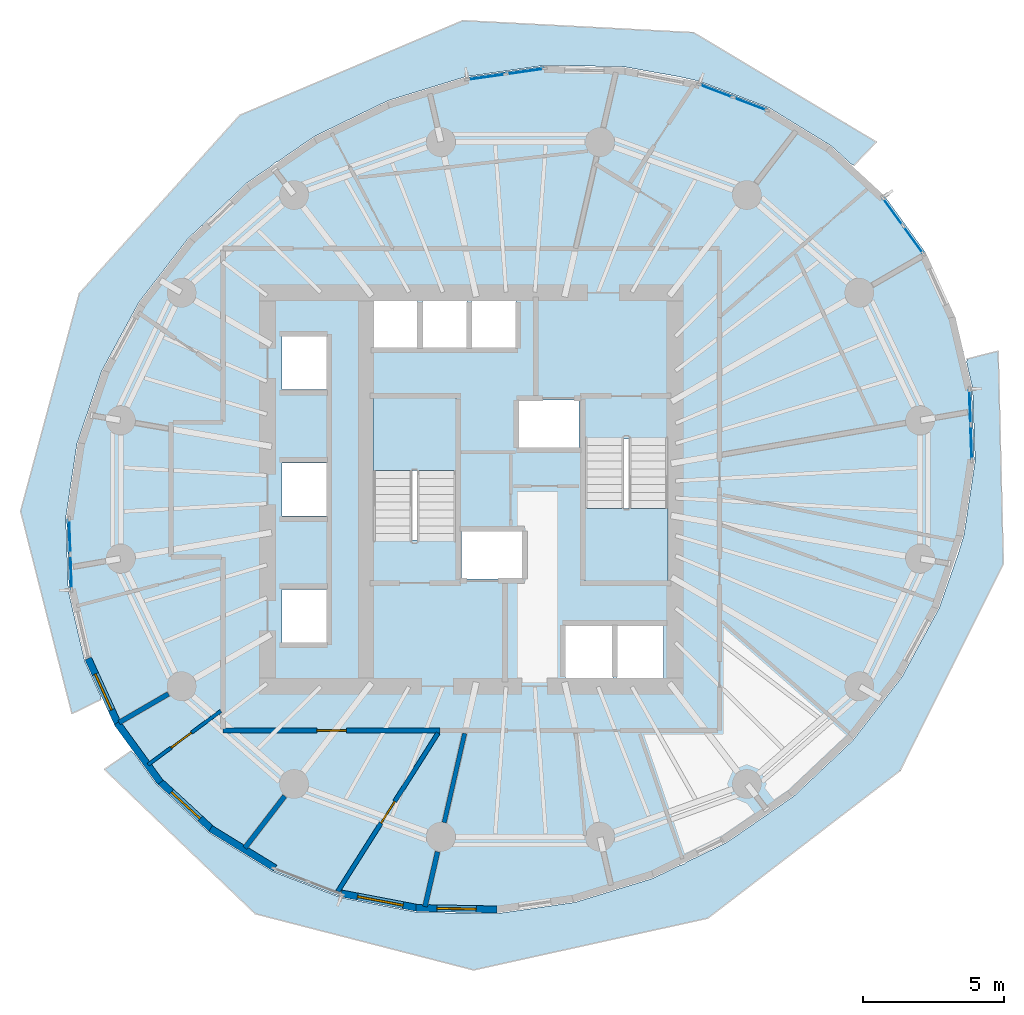
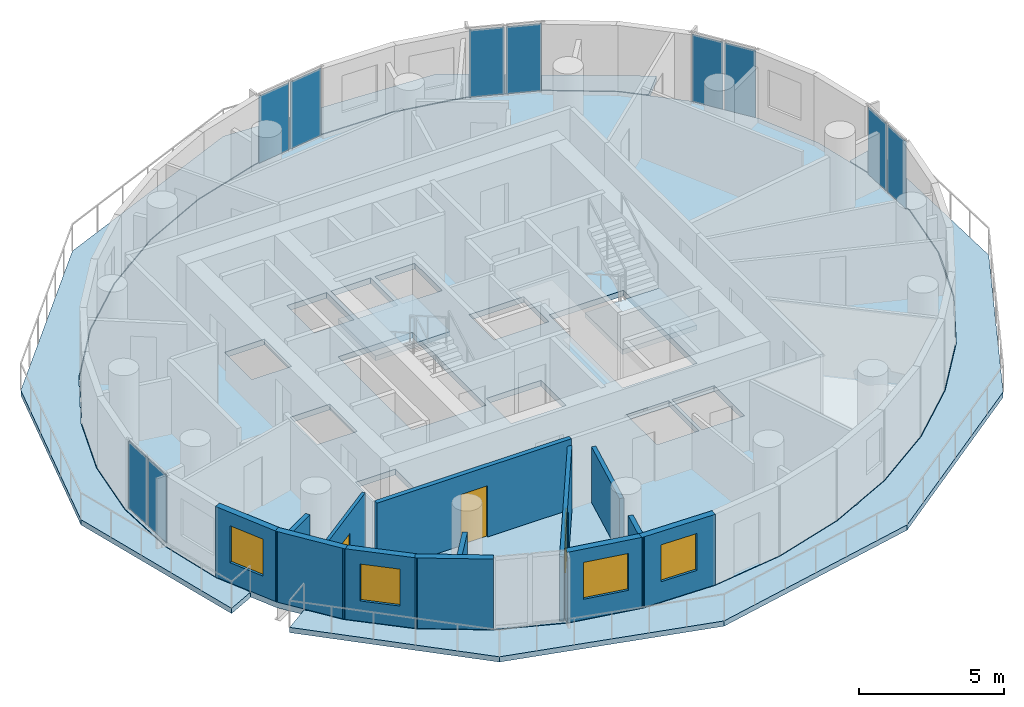
# One storey, part 5 of 14: 13 walls, 10 plates, 5 slabs, 4 windows, 3 doors, 7 openings, 7 elements without a shape of their own.
"""IFC4 building model written with IfcOpenShell, lengths in metres."""

from ifc_helpers import new_model, si_unit, direction, frame, frame_2d, origin, origin_2d, place, context, subcontext, project, spatial, polyline, rectangle, outline, extrude, material, layer, layer_set, type_object, element, fill, aggregate, save


model = new_model("IFC4")

# Units and contexts
model_context = context("Model", 3, precision=1e-05, world=origin(), true_north=direction((0.0, 1.0)))
body_context = subcontext(model_context, "Body", "Model", "MODEL_VIEW")
ifc_project = project(units=[si_unit("LENGTHUNIT", "METRE"), si_unit("AREAUNIT", "SQUARE_METRE"), si_unit("VOLUMEUNIT", "CUBIC_METRE"), si_unit("PLANEANGLEUNIT", "RADIAN"), si_unit("MASSUNIT", "GRAM", prefix="KILO")], contexts=[model_context])

# Site, building, storey
site_placement = place(None, origin())
site = spatial("IfcSite", under=ifc_project, at=site_placement, CompositionType="ELEMENT")
building_placement = place(site_placement, origin())
building = spatial("IfcBuilding", under=site, at=building_placement, Name="Veldorim Arch Residences", CompositionType="ELEMENT")
storey_placement = place(building_placement, frame((0.0, 0.0, 129.760009765625)))
storey = spatial("IfcBuildingStorey", under=building, at=storey_placement, Name="L38", CompositionType="ELEMENT", Elevation=129.760009765625)

# Slabs
ifc_material_1 = material(Name="Concrete C40/50", Category="concrete")
ifc_layer_1 = layer(ifc_material_1, 0.219970703125, Name="Planted Crescent Cantilever Balcony Slab 220")
ifc_layer_set_1 = layer_set([ifc_layer_1], Name="Concrete C40/50")
slab_type_1 = type_object("IfcSlabType", Name="Planted Crescent Cantilever Balcony Slab 220", PredefinedType="FLOOR", material=ifc_layer_set_1)
slab_1_placement = place(storey_placement, frame((0.0, 0.0, -0.219970703125)))
element("IfcSlab", 1, at=slab_1_placement, inside=storey, type_object=slab_type_1, Name="L38 planted crescent balcony slab A", PredefinedType="FLOOR", context=body_context, shape_type="SweptSolid", body=[
    extrude(outline(polyline([(43.74560546875, 35.593017578125), (43.071533203125, 36.213623046875), (40.849365234375, 37.578369140625), (38.358642578125, 38.5302734375), (37.673095703125, 38.68115234375), (35.674560546875, 39.04052734375), (32.87939453125, 39.09375), (30.057373046875, 38.688720703125), (27.294677734375, 37.83740234375), (24.6748046875, 36.56591796875), (23.388916015625, 35.67919921875), (23.24951171875, 35.617919921875), (23.159423828125, 35.52099609375), (22.27734375, 34.91259765625), (20.17529296875, 32.927978515625), (18.432373046875, 30.672119140625), (17.101318359375, 28.213134765625), (16.222900390625, 25.626220703125), (15.823974609375, 22.98974609375), (15.91650390625, 20.3837890625), (16.498046875, 17.887451171875), (17.048583984375, 16.678955078125), (17.075439453125, 16.53125), (16.0419921875, 16.026611328125), (14.21630859375, 23.227783203125), (16.30322265625, 30.971435546875), (22.011962890625, 37.314208984375), (29.949951171875, 40.68115234375), (38.159423828125, 40.25537109375), (44.6591796875, 36.36328125), (43.863037109375, 35.533447265625), (43.74560546875, 35.593017578125)])), origin(), (0.0, 0.0, 1.0), 0.219970703125),
])
slab_2_placement = place(storey_placement, frame((0.0, 0.0, -0.219970703125)))
element("IfcSlab", 2, at=slab_2_placement, inside=storey, type_object=slab_type_1, Name="L38 planted crescent balcony slab B", PredefinedType="FLOOR", context=body_context, shape_type="SweptSolid", body=[
    extrude(outline(polyline([(18.262451171875, 14.5966796875), (19.042724609375, 13.522216796875), (20.928466796875, 11.786376953125), (23.150634765625, 10.421630859375), (25.641357421875, 9.4697265625), (28.325439453125, 8.95947265625), (31.12060546875, 8.90625), (33.942626953125, 9.311279296875), (36.705322265625, 10.16259765625), (37.66943359375, 10.630615234375), (37.798095703125, 10.6611328125), (37.919921875, 10.752197265625), (39.3251953125, 11.43408203125), (41.72265625, 13.08740234375), (43.82470703125, 15.072021484375), (45.567626953125, 17.327880859375), (46.898681640625, 19.786865234375), (47.570556640625, 21.702880859375), (47.777099609375, 22.373779296875), (48.176025390625, 25.01025390625), (48.08349609375, 27.6162109375), (47.87548828125, 28.50830078125), (47.881591796875, 28.64013671875), (48.995849609375, 28.924072265625), (49.18017578125, 21.3505859375), (45.505615234375, 13.996826171875), (38.664306640625, 8.748291015625), (30.332275390625, 6.906005859375), (22.5654296875, 8.905517578125), (17.19873046875, 14.04248046875), (18.147216796875, 14.69287109375), (18.262451171875, 14.5966796875)])), origin(), (0.0, 0.0, 1.0), 0.219970703125),
])

# Stair, slab
ifc_material_2 = material(Name="Concrete C40/50", Category="concrete")
stair_type = type_object("IfcStairType", Name="Reinforced Concrete Dogleg Exit Staircase", PredefinedType="HALF_TURN_STAIR", material=ifc_material_2)
stair_1_placement = place(storey_placement, origin())
stair_1 = element("IfcStair", 3, at=stair_1_placement, inside=storey, type_object=stair_type, Name="L38 Exit Staircase ST-1", PredefinedType="HALF_TURN_STAIR")
ifc_material_3 = material(Name="Concrete C40/50", Category="concrete")
ifc_layer_2 = layer(ifc_material_3, 0.199951171875, Name="Reinforced Concrete Stair Landing 200")
ifc_layer_set_2 = layer_set([ifc_layer_2], Name="Concrete C40/50")
slab_type_2 = type_object("IfcSlabType", Name="Reinforced Concrete Stair Landing 200", PredefinedType="LANDING", material=ifc_layer_set_2)
slab_3_placement = place(storey_placement, frame((0.0, 0.0, 1.39990234375)))
slab_3 = element("IfcSlab", 4, at=slab_3_placement, type_object=slab_type_2, Name="ST-1 landing 1", PredefinedType="LANDING", context=body_context, shape_type="SweptSolid", body=[
    extrude(outline(polyline([(29.7099609375, 24.669921875), (29.7099609375, 27.25), (26.75, 27.25), (26.75, 24.669921875), (29.7099609375, 24.669921875)])), origin(), (0.0, 0.0, 1.0), 0.2001953125),
])
aggregate(stair_1, [slab_3])

stair_2_placement = place(storey_placement, origin())
stair_2 = element("IfcStair", 5, at=stair_2_placement, inside=storey, type_object=stair_type, Name="L38 Exit Staircase ST-2", PredefinedType="HALF_TURN_STAIR")
slab_4_placement = place(storey_placement, frame((0.0, 0.0, 1.39990234375)))
slab_4 = element("IfcSlab", 6, at=slab_4_placement, type_object=slab_type_2, Name="ST-2 landing 1", PredefinedType="LANDING", context=body_context, shape_type="SweptSolid", body=[
    extrude(outline(polyline([(34.2900390625, 23.330078125), (34.2900390625, 20.75), (37.25, 20.75), (37.25, 23.330078125), (34.2900390625, 23.330078125)])), origin(), (0.0, 0.0, 1.0), 0.2001953125),
])
aggregate(stair_2, [slab_4])

# Slab
ifc_material_4 = material(Name="Concrete C40/50", Category="concrete")
ifc_layer_3 = layer(ifc_material_4, 0.239990234375, Name="Typical Residential Floor Slab 240")
ifc_layer_set_3 = layer_set([ifc_layer_3], Name="Concrete C40/50")
slab_type_3 = type_object("IfcSlabType", Name="Typical Residential Floor Slab 240", PredefinedType="FLOOR", material=ifc_layer_set_3)
slab_5_placement = place(storey_placement, frame((0.0, 0.0, -0.239990234375)))
element("IfcSlab", 7, at=slab_5_placement, inside=storey, type_object=slab_type_3, Name="L38 tower structural floor slab", PredefinedType="FLOOR", context=body_context, shape_type="SweptSolid", body=[
    extrude(outline(polyline([(46.427490234375, 32.410400390625), (44.9384765625, 34.4609375), (43.056396484375, 36.193603515625), (40.83837890625, 37.555908203125), (38.351806640625, 38.506103515625), (35.672119140625, 39.015625), (32.880859375, 39.06884765625), (30.06298828125, 38.664306640625), (27.3037109375, 37.814208984375), (24.6875, 36.544189453125), (22.293212890625, 34.89306640625), (20.19384765625, 32.9111328125), (18.453369140625, 30.658203125), (17.12451171875, 28.203125), (16.247314453125, 25.620361328125), (15.84912109375, 22.98828125), (15.94140625, 20.38720703125), (16.521728515625, 17.8955078125), (17.572509765625, 15.589599609375), (19.0615234375, 13.5390625), (20.943603515625, 11.806396484375), (23.16162109375, 10.444091796875), (25.648193359375, 9.493896484375), (28.327880859375, 8.984375), (31.119140625, 8.93115234375), (33.93701171875, 9.335693359375), (36.6962890625, 10.185791015625), (39.3125, 11.455810546875), (41.706787109375, 13.10693359375), (43.80615234375, 15.0888671875), (45.546630859375, 17.341796875), (46.87548828125, 19.796875), (47.752685546875, 22.379638671875), (48.15087890625, 25.01171875), (48.05859375, 27.61279296875), (47.478271484375, 30.1044921875), (46.427490234375, 32.410400390625)]), holes=[polyline([(23.510009765625, 18.56005859375), (23.510009765625, 20.43994140625), (25.090087890625, 20.43994140625), (25.090087890625, 18.56005859375), (23.510009765625, 18.56005859375)]), polyline([(23.510009765625, 24.93994140625), (25.090087890625, 24.93994140625), (25.090087890625, 23.06005859375), (23.510009765625, 23.06005859375), (23.510009765625, 24.93994140625)]), polyline([(26.75, 27.25), (29.7099609375, 27.25), (29.7099609375, 22.195068359375), (26.75, 22.195068359375), (26.75, 27.25)]), polyline([(23.510009765625, 27.56005859375), (23.510009765625, 29.43994140625), (25.090087890625, 29.43994140625), (25.090087890625, 27.56005859375), (23.510009765625, 27.56005859375)]), polyline([(26.760009765625, 30.7900390625), (28.340087890625, 30.7900390625), (28.340087890625, 28.909912109375), (26.760009765625, 28.909912109375), (26.760009765625, 30.7900390625)]), polyline([(28.510009765625, 30.7900390625), (30.090087890625, 30.7900390625), (30.090087890625, 28.909912109375), (28.510009765625, 28.909912109375), (28.510009765625, 30.7900390625)]), polyline([(33.610107421875, 17.2099609375), (33.610107421875, 19.2900390625), (35.2900390625, 19.2900390625), (35.2900390625, 17.2099609375), (33.610107421875, 17.2099609375)]), polyline([(35.409912109375, 19.2900390625), (37.090087890625, 19.2900390625), (37.090087890625, 17.2099609375), (35.409912109375, 17.2099609375), (35.409912109375, 19.2900390625)]), polyline([(29.909912109375, 22.544921875), (32.090087890625, 22.544921875), (32.090087890625, 20.81494140625), (29.909912109375, 20.81494140625), (29.909912109375, 22.544921875)]), polyline([(34.2900390625, 20.75), (34.2900390625, 25.804931640625), (37.25, 25.804931640625), (37.25, 20.75), (34.2900390625, 20.75)]), polyline([(31.909912109375, 27.18505859375), (34.090087890625, 27.18505859375), (34.090087890625, 25.455078125), (31.909912109375, 25.455078125), (31.909912109375, 27.18505859375)]), polyline([(30.260009765625, 30.7900390625), (31.840087890625, 30.7900390625), (31.840087890625, 28.909912109375), (30.260009765625, 28.909912109375), (30.260009765625, 30.7900390625)])]), origin(), (0.0, 0.0, 1.0), 0.239990234375),
])

# Curtain wall, plates
ifc_material_5 = material(Name="Aluminium", Category="aluminium")
curtain_wall_type = type_object("IfcCurtainWallType", Name="Zone 3 High-Wind Unitised Curtain Wall", PredefinedType="NOTDEFINED", material=ifc_material_5)
curtain_wall_1_placement = place(storey_placement, origin())
curtain_wall_1 = element("IfcCurtainWall", 8, at=curtain_wall_1_placement, inside=storey, type_object=curtain_wall_type, Name="L38 unitised curtain wall bay 01", PredefinedType="NOTDEFINED")
ifc_material_6 = material(Name="Laminated Low-E Glass", Category="glass")
ifc_layer_4 = layer(ifc_material_6, 0.028076171875, Name="Zone 3 High-Wind Unitised Curtain Wall Glazing Panel 28")
ifc_layer_set_4 = layer_set([ifc_layer_4], Name="Laminated Low-E Glass")
plate_type = type_object("IfcPlateType", Name="Zone 3 High-Wind Unitised Curtain Wall Glazing Panel 28", PredefinedType="CURTAIN_PANEL", material=ifc_layer_set_4)
plate_1_placement = place(storey_placement, frame((45.248291015625, 33.88134765625, 0.06982421875), z_axis=(0.0, 0.0, 1.0), x_axis=(0.587584949886, -0.809162484713, 0.0)))
plate_1 = element("IfcPlate", 9, at=plate_1_placement, type_object=plate_type, Name="CW-Z3 panel 1.1", PredefinedType="CURTAIN_PANEL", context=body_context, shape_type="SweptSolid", body=[
    extrude(rectangle(XDim=1.162109375, YDim=0.028076171875, at=origin_2d()), origin(), (0.0, 0.0, 1.0), 2.820068359375),
])
plate_2_placement = place(storey_placement, frame((45.97216796875, 32.88427734375, 0.06982421875), z_axis=(0.0, 0.0, 1.0), x_axis=(0.587584949886, -0.809162484713, 0.0)))
plate_2 = element("IfcPlate", 10, at=plate_2_placement, type_object=plate_type, Name="CW-Z3 panel 2.1", PredefinedType="CURTAIN_PANEL", context=body_context, shape_type="SweptSolid", body=[
    extrude(rectangle(XDim=1.162109375, YDim=0.028076171875, at=origin_2d()), origin(), (0.0, 0.0, 1.0), 2.820068359375),
])
aggregate(curtain_wall_1, [plate_1, plate_2])

curtain_wall_2_placement = place(storey_placement, origin())
curtain_wall_2 = element("IfcCurtainWall", 11, at=curtain_wall_2_placement, inside=storey, type_object=curtain_wall_type, Name="L38 unitised curtain wall bay 04", PredefinedType="NOTDEFINED")
plate_3_placement = place(storey_placement, frame((38.95751953125, 38.17822265625, 0.06982421875), z_axis=(0.0, 0.0, 1.0), x_axis=(0.934109319568, -0.356987085335, 0.0)))
plate_3 = element("IfcPlate", 12, at=plate_3_placement, type_object=plate_type, Name="CW-Z3 panel 1.1", PredefinedType="CURTAIN_PANEL", context=body_context, shape_type="SweptSolid", body=[
    extrude(rectangle(XDim=1.22607421875, YDim=0.028076171875, at=origin_2d()), origin(), (0.0, 0.0, 1.0), 2.820068359375),
])
plate_4_placement = place(storey_placement, frame((40.168212890625, 37.715576171875, 0.06982421875), z_axis=(0.0, 0.0, 1.0), x_axis=(0.934109319568, -0.356987085335, 0.0)))
plate_4 = element("IfcPlate", 13, at=plate_4_placement, type_object=plate_type, Name="CW-Z3 panel 2.1", PredefinedType="CURTAIN_PANEL", context=body_context, shape_type="SweptSolid", body=[
    extrude(rectangle(XDim=1.22607421875, YDim=0.028076171875, at=origin_2d()), origin(), (0.0, 0.0, 1.0), 2.820068359375),
])
aggregate(curtain_wall_2, [plate_3, plate_4])

curtain_wall_3_placement = place(storey_placement, origin())
curtain_wall_3 = element("IfcCurtainWall", 14, at=curtain_wall_3_placement, inside=storey, type_object=curtain_wall_type, Name="L38 unitised curtain wall bay 07", PredefinedType="NOTDEFINED")
plate_5_placement = place(storey_placement, frame((30.797607421875, 38.6787109375, 0.06982421875), z_axis=(0.0, 0.0, 1.0), x_axis=(0.989849489651, 0.142119625096, 0.0)))
plate_5 = element("IfcPlate", 15, at=plate_5_placement, type_object=plate_type, Name="CW-Z3 panel 1.1", PredefinedType="CURTAIN_PANEL", context=body_context, shape_type="SweptSolid", body=[
    extrude(rectangle(XDim=1.318359375, YDim=0.028076171875, at=origin_2d()), origin(), (0.0, 0.0, 1.0), 2.820068359375),
])
plate_6_placement = place(storey_placement, frame((32.171875, 38.8759765625, 0.06982421875), z_axis=(0.0, 0.0, 1.0), x_axis=(0.989849489651, 0.142119625096, 0.0)))
plate_6 = element("IfcPlate", 16, at=plate_6_placement, type_object=plate_type, Name="CW-Z3 panel 2.1", PredefinedType="CURTAIN_PANEL", context=body_context, shape_type="SweptSolid", body=[
    extrude(rectangle(XDim=1.318359375, YDim=0.028076171875, at=origin_2d()), origin(), (0.0, 0.0, 1.0), 2.820068359375),
])
aggregate(curtain_wall_3, [plate_5, plate_6])

curtain_wall_4_placement = place(storey_placement, origin())
curtain_wall_4 = element("IfcCurtainWall", 17, at=curtain_wall_4_placement, inside=storey, type_object=curtain_wall_type, Name="L38 unitised curtain wall bay 16", PredefinedType="NOTDEFINED")
plate_7_placement = place(storey_placement, frame((16.007568359375, 21.05810546875, 0.06982421875), z_axis=(0.0, 0.0, 1.0), x_axis=(-0.035498313784, 0.999369736243, 0.0)))
plate_7 = element("IfcPlate", 18, at=plate_7_placement, type_object=plate_type, Name="CW-Z3 panel 1.1", PredefinedType="CURTAIN_PANEL", context=body_context, shape_type="SweptSolid", body=[
    extrude(rectangle(XDim=1.196533203125, YDim=0.028076171875, at=origin_2d()), origin(), (0.0, 0.0, 1.0), 2.820068359375),
])
plate_8_placement = place(storey_placement, frame((15.962646484375, 22.32373046875, 0.06982421875), z_axis=(0.0, 0.0, 1.0), x_axis=(-0.035498313784, 0.999369736243, 0.0)))
plate_8 = element("IfcPlate", 19, at=plate_8_placement, type_object=plate_type, Name="CW-Z3 panel 2.1", PredefinedType="CURTAIN_PANEL", context=body_context, shape_type="SweptSolid", body=[
    extrude(rectangle(XDim=1.196533203125, YDim=0.028076171875, at=origin_2d()), origin(), (0.0, 0.0, 1.0), 2.820068359375),
])
aggregate(curtain_wall_4, [plate_7, plate_8])

curtain_wall_5_placement = place(storey_placement, origin())
curtain_wall_5 = element("IfcCurtainWall", 20, at=curtain_wall_5_placement, inside=storey, type_object=curtain_wall_type, Name="L38 unitised curtain wall bay 34", PredefinedType="NOTDEFINED")
plate_9_placement = place(storey_placement, frame((47.992431640625, 26.94189453125, 0.06982421875), z_axis=(0.0, 0.0, 1.0), x_axis=(0.035498313784, -0.999369736243, 0.0)))
plate_9 = element("IfcPlate", 21, at=plate_9_placement, type_object=plate_type, Name="CW-Z3 panel 1.1", PredefinedType="CURTAIN_PANEL", context=body_context, shape_type="SweptSolid", body=[
    extrude(rectangle(XDim=1.196533203125, YDim=0.028076171875, at=origin_2d()), origin(), (0.0, 0.0, 1.0), 2.820068359375),
])
plate_10_placement = place(storey_placement, frame((48.037353515625, 25.67626953125, 0.06982421875), z_axis=(0.0, 0.0, 1.0), x_axis=(0.035498313784, -0.999369736243, 0.0)))
plate_10 = element("IfcPlate", 22, at=plate_10_placement, type_object=plate_type, Name="CW-Z3 panel 2.1", PredefinedType="CURTAIN_PANEL", context=body_context, shape_type="SweptSolid", body=[
    extrude(rectangle(XDim=1.196533203125, YDim=0.028076171875, at=origin_2d()), origin(), (0.0, 0.0, 1.0), 2.820068359375),
])
aggregate(curtain_wall_5, [plate_9, plate_10])

# Wall, opening, door
ifc_material_7 = material(Name="Acoustic Gypsum Board", Category="gypsum")
ifc_layer_5 = layer(ifc_material_7, 0.125, Name="Acoustic Stud Room Partition Wall 125")
ifc_layer_set_5 = layer_set([ifc_layer_5], Name="Acoustic Gypsum Board")
wall_type_1 = type_object("IfcWallType", Name="Acoustic Stud Room Partition Wall 125", PredefinedType="PARTITIONING", material=ifc_layer_set_5)
wall_1_placement = place(storey_placement, frame((18.749267578125, 14.20703125, 0.0), z_axis=(0.0, 0.0, 1.0), x_axis=(0.804182442208, 0.594382536456, 0.0)))
wall_1 = element("IfcWall", 23, at=wall_1_placement, inside=storey, type_object=wall_type_1, Name="L38 interior wall WL-RES-L38-031", PredefinedType="PARTITIONING", context=body_context, shape_type="SweptSolid", body=[
    extrude(rectangle(XDim=3.22119140625, YDim=0.125, at=frame_2d((1.610595703125, 0.0))), origin(), (0.0, 0.0, 1.0), 2.955078125),
])
opening_1_placement = place(wall_1_placement, frame((1.0205078125, 0.0, 0.0)))
opening_1 = element("IfcOpeningElement", 24, at=opening_1_placement, cuts=wall_1, Name="Opening DR-INT", PredefinedType="OPENING", context=body_context, shape_type="SweptSolid", body=[
    extrude(rectangle(XDim=0.89990234375, YDim=2.10009765625, at=frame_2d((0.449951171875, 1.050048828125))), frame((0.0, 0.072509765625, 0.0), z_axis=(0.0, -1.0, 0.0), x_axis=(1.0, 0.0, 0.0)), (0.0, 0.0, 1.0), 0.14501953125),
])
ifc_material_8 = material(Name="Engineered Timber", Category="wood")
door_type_1 = type_object("IfcDoorType", Name="Apartment Internal Room Timber Door 900x2100", OperationType="SINGLE_SWING_LEFT", PredefinedType="DOOR", material=ifc_material_8)
door_1_placement = place(opening_1_placement, origin())
door_1 = element("IfcDoor", 25, at=door_1_placement, inside=storey, type_object=door_type_1, Name="L38 interior door DR-RES-L38-018", OperationType="SINGLE_SWING_RIGHT", OverallHeight=2.10009765625, OverallWidth=0.89990234375, PredefinedType="DOOR", context=body_context, shape_type="SweptSolid", body=[
    extrude(rectangle(XDim=0.89990234375, YDim=2.10009765625, at=frame_2d((0.449951171875, 1.050048828125))), frame((0.0, 0.02490234375, 0.0), z_axis=(0.0, -1.0, 0.0), x_axis=(1.0, 0.0, 0.0)), (0.0, 0.0, 1.0), 0.050048828125),
])
fill(opening_1, door_1)

# Walls
ifc_material_9 = material(Name="Lightweight Masonry Block & Gypsum", Category="masonry")
ifc_layer_6 = layer(ifc_material_9, 0.179931640625, Name="Compartment & Corridor Fire-Rated Party Wall 180")
ifc_layer_set_6 = layer_set([ifc_layer_6], Name="Lightweight Masonry Block & Gypsum")
wall_type_2 = type_object("IfcWallType", Name="Compartment & Corridor Fire-Rated Party Wall 180", PredefinedType="PARTITIONING", material=ifc_layer_set_6)
wall_2_placement = place(storey_placement, frame((19.472412109375, 16.72607421875, 0.0), z_axis=(0.0, 0.0, 1.0), x_axis=(-0.86481084581, -0.502097800203, 0.0)))
element("IfcWall", 26, at=wall_2_placement, inside=storey, type_object=wall_type_2, Name="L38 interior wall WL-PIER-L38-10", PredefinedType="PARTITIONING", context=body_context, shape_type="SweptSolid", body=[
    extrude(rectangle(XDim=2.030029296875, YDim=0.179931640625, at=frame_2d((1.01513671875, 0.0))), origin(), (0.0, 0.0, 1.0), 2.335693359375),
])
wall_3_placement = place(storey_placement, frame((23.612060546875, 13.091552734375, 0.0), z_axis=(0.0, 0.0, 1.0), x_axis=(-0.609553382458, -0.792745024541, 0.0)))
element("IfcWall", 27, at=wall_3_placement, inside=storey, type_object=wall_type_2, Name="L38 interior wall WL-PIER-L38-11", PredefinedType="PARTITIONING", context=body_context, shape_type="SweptSolid", body=[
    extrude(rectangle(XDim=2.32421875, YDim=0.179931640625, at=frame_2d((1.162109375, 0.0))), origin(), (0.0, 0.0, 1.0), 2.335693359375),
])
wall_4_placement = place(storey_placement, frame((29.049560546875, 11.11083984375, 0.0), z_axis=(0.0, 0.0, 1.0), x_axis=(-0.2231492674, -0.974784286116, 0.0)))
element("IfcWall", 28, at=wall_4_placement, inside=storey, type_object=wall_type_2, Name="L38 interior wall WL-PIER-L38-12", PredefinedType="PARTITIONING", context=body_context, shape_type="SweptSolid", body=[
    extrude(rectangle(XDim=2.002197265625, YDim=0.179931640625, at=frame_2d((1.0009765625, 0.0))), origin(), (0.0, 0.0, 1.0), 2.335693359375),
])

# Wall, opening, door
wall_5_placement = place(storey_placement, frame((29.141357421875, 15.419921875, 0.0), z_axis=(0.0, 0.0, 1.0), x_axis=(-1.0, 0.0, 0.0)))
wall_5 = element("IfcWall", 29, at=wall_5_placement, inside=storey, type_object=wall_type_2, Name="L38 interior wall WL-RES-L38-010", PredefinedType="PARTITIONING", context=body_context, shape_type="SweptSolid", body=[
    extrude(rectangle(XDim=7.721435546875, YDim=0.179931640625, at=frame_2d((3.86083984375, 0.0))), origin(), (0.0, 0.0, 1.0), 2.955078125),
])
opening_2_placement = place(wall_5_placement, frame((3.335693359375, 0.0, 0.0)))
opening_2 = element("IfcOpeningElement", 30, at=opening_2_placement, cuts=wall_5, Name="Opening DR-FLT", PredefinedType="OPENING", context=body_context, shape_type="SweptSolid", body=[
    extrude(rectangle(XDim=1.050048828125, YDim=2.14990234375, at=frame_2d((0.52490234375, 1.074951171875))), frame((0.0, 0.099853515625, 0.0), z_axis=(0.0, -1.0, 0.0), x_axis=(1.0, 0.0, 0.0)), (0.0, 0.0, 1.0), 0.199951171875),
])
ifc_material_10 = material(Name="Fire-Rated Timber", Category="wood")
door_type_2 = type_object("IfcDoorType", Name="Apartment Entrance Solid-Core Fire Door 1050x2150", OperationType="SINGLE_SWING_LEFT", PredefinedType="DOOR", material=ifc_material_10)
door_2_placement = place(opening_2_placement, origin())
door_2 = element("IfcDoor", 31, at=door_2_placement, inside=storey, type_object=door_type_2, Name="L38 interior door DR-RES-L38-016", OperationType="SINGLE_SWING_RIGHT", OverallHeight=2.14990234375, OverallWidth=1.050048828125, PredefinedType="DOOR", context=body_context, shape_type="SweptSolid", body=[
    extrude(rectangle(XDim=1.050048828125, YDim=2.14990234375, at=frame_2d((0.52490234375, 1.074951171875))), frame((0.0, 0.02490234375, 0.0), z_axis=(0.0, -1.0, 0.0), x_axis=(1.0, 0.0, 0.0)), (0.0, 0.0, 1.0), 0.050048828125),
])
fill(opening_2, door_2)

# Wall, opening, window
ifc_material_11 = material(Name="Precast concrete C40/50", Category="concrete")
ifc_layer_7 = layer(ifc_material_11, 0.25, Name="Tower Terracotta Spandrel & Pier Wall 250")
ifc_layer_set_7 = layer_set([ifc_layer_7], Name="Precast concrete C40/50")
wall_type_3 = type_object("IfcWallType", Name="Tower Terracotta Spandrel & Pier Wall 250", PredefinedType="SOLIDWALL", material=ifc_layer_set_7)
wall_6_placement = place(storey_placement, frame((17.704833984375, 15.600341796875, 0.0), z_axis=(0.0, 0.0, 1.0), x_axis=(-0.41458087789, 0.910012470073, 0.0)))
wall_6 = element("IfcWall", 32, at=wall_6_placement, inside=storey, type_object=wall_type_3, Name="L38 terracotta facade wall 18", PredefinedType="SOLIDWALL", context=body_context, shape_type="SweptSolid", body=[
    extrude(rectangle(XDim=2.6240234375, YDim=0.25, at=frame_2d((1.31201171875, 0.0))), origin(), (0.0, 0.0, 1.0), 2.9599609375),
])
opening_3_placement = place(wall_6_placement, frame((0.612060546875, 0.0, 0.85009765625)))
opening_3 = element("IfcOpeningElement", 33, at=opening_3_placement, cuts=wall_6, Name="Opening WN-02", PredefinedType="OPENING", context=body_context, shape_type="SweptSolid", body=[
    extrude(rectangle(XDim=1.39990234375, YDim=1.550048828125, at=frame_2d((0.699951171875, 0.77490234375))), frame((0.0, 0.135009765625, 0.0), z_axis=(0.0, -1.0, 0.0), x_axis=(1.0, 0.0, 0.0)), (0.0, 0.0, 1.0), 0.27001953125),
])
ifc_material_12 = material(Name="Laminated Low-E Glass", Category="glass")
window_type_1 = type_object("IfcWindowType", Name="Residential Casement Window 1400x1550", PartitioningType="SINGLE_PANEL", PredefinedType="WINDOW", material=ifc_material_12)
window_1_placement = place(opening_3_placement, origin())
window_1 = element("IfcWindow", 34, at=window_1_placement, inside=storey, type_object=window_type_1, Name="L38 solar-control facade window 18", OverallHeight=1.550048828125, OverallWidth=1.39990234375, PartitioningType="SINGLE_PANEL", PredefinedType="WINDOW", context=body_context, shape_type="SweptSolid", body=[
    extrude(rectangle(XDim=1.39990234375, YDim=1.550048828125, at=frame_2d((0.699951171875, 0.77490234375))), frame((0.0, 0.030029296875, 0.0), z_axis=(0.0, -1.0, 0.0), x_axis=(1.0, 0.0, 0.0)), (0.0, 0.0, 1.0), 0.06005859375),
])
fill(opening_3, window_1)

# Wall
wall_7_placement = place(storey_placement, frame((19.189208984375, 13.575927734375, 0.0), z_axis=(0.0, 0.0, 1.0), x_axis=(-0.587574137145, 0.80917033643, 0.0)))
element("IfcWall", 35, at=wall_7_placement, inside=storey, type_object=wall_type_3, Name="L38 terracotta facade wall 19", PredefinedType="SOLIDWALL", context=body_context, shape_type="SweptSolid", body=[
    extrude(rectangle(XDim=2.624267578125, YDim=0.25, at=frame_2d((1.31201171875, 0.0))), origin(), (0.0, 0.0, 1.0), 2.9599609375),
])

# Wall, opening, window
wall_8_placement = place(storey_placement, frame((21.061279296875, 11.867919921875, 0.0), z_axis=(0.0, 0.0, 1.0), x_axis=(-0.73572884951, 0.677276206579, 0.0)))
wall_8 = element("IfcWall", 36, at=wall_8_placement, inside=storey, type_object=wall_type_3, Name="L38 terracotta facade wall 20", PredefinedType="SOLIDWALL", context=body_context, shape_type="SweptSolid", body=[
    extrude(rectangle(XDim=2.64794921875, YDim=0.25, at=frame_2d((1.323974609375, 0.0))), origin(), (0.0, 0.0, 1.0), 2.9599609375),
])
opening_4_placement = place(wall_8_placement, frame((0.6240234375, 0.0, 0.85009765625)))
opening_4 = element("IfcOpeningElement", 37, at=opening_4_placement, cuts=wall_8, Name="Opening WN-02", PredefinedType="OPENING", context=body_context, shape_type="SweptSolid", body=[
    extrude(rectangle(XDim=1.39990234375, YDim=1.550048828125, at=frame_2d((0.699951171875, 0.77490234375))), frame((0.0, 0.135009765625, 0.0), z_axis=(0.0, -1.0, 0.0), x_axis=(1.0, 0.0, 0.0)), (0.0, 0.0, 1.0), 0.27001953125),
])
window_2_placement = place(opening_4_placement, origin())
window_2 = element("IfcWindow", 38, at=window_2_placement, inside=storey, type_object=window_type_1, Name="L38 solar-control facade window 20", OverallHeight=1.550048828125, OverallWidth=1.39990234375, PartitioningType="SINGLE_PANEL", PredefinedType="WINDOW", context=body_context, shape_type="SweptSolid", body=[
    extrude(rectangle(XDim=1.39990234375, YDim=1.550048828125, at=frame_2d((0.699951171875, 0.77490234375))), frame((0.0, 0.030029296875, 0.0), z_axis=(0.0, -1.0, 0.0), x_axis=(1.0, 0.0, 0.0)), (0.0, 0.0, 1.0), 0.06005859375),
])
fill(opening_4, window_2)

# Wall
wall_9_placement = place(storey_placement, frame((23.265380859375, 10.527099609375, 0.0), z_axis=(0.0, 0.0, 1.0), x_axis=(-0.852103133134, 0.523373910797, 0.0)))
element("IfcWall", 39, at=wall_9_placement, inside=storey, type_object=wall_type_3, Name="L38 terracotta facade wall 21", PredefinedType="SOLIDWALL", context=body_context, shape_type="SweptSolid", body=[
    extrude(rectangle(XDim=2.69287109375, YDim=0.25, at=frame_2d((1.346435546875, 0.0))), origin(), (0.0, 0.0, 1.0), 2.9599609375),
])

# Wall, opening, window
wall_10_placement = place(storey_placement, frame((28.3955078125, 9.098876953125, 0.0), z_axis=(0.0, 0.0, 1.0), x_axis=(-0.982412055756, 0.18672587583, 0.0)))
wall_10 = element("IfcWall", 40, at=wall_10_placement, inside=storey, type_object=wall_type_3, Name="L38 terracotta facade wall 23", PredefinedType="SOLIDWALL", context=body_context, shape_type="SweptSolid", body=[
    extrude(rectangle(XDim=2.817626953125, YDim=0.25, at=frame_2d((1.40869140625, 0.0))), origin(), (0.0, 0.0, 1.0), 2.9599609375),
])
opening_5_placement = place(wall_10_placement, frame((0.583984375, 0.0, 0.85009765625)))
opening_5 = element("IfcOpeningElement", 41, at=opening_5_placement, cuts=wall_10, Name="Opening WN-03", PredefinedType="OPENING", context=body_context, shape_type="SweptSolid", body=[
    extrude(rectangle(XDim=1.64990234375, YDim=1.550048828125, at=frame_2d((0.824951171875, 0.77490234375))), frame((0.0, 0.135009765625, 0.0), z_axis=(0.0, -1.0, 0.0), x_axis=(1.0, 0.0, 0.0)), (0.0, 0.0, 1.0), 0.27001953125),
])
ifc_material_13 = material(Name="Laminated Low-E Glass", Category="glass")
window_type_2 = type_object("IfcWindowType", Name="Residential Wide Window 1650x1550", PartitioningType="SINGLE_PANEL", PredefinedType="WINDOW", material=ifc_material_13)
window_3_placement = place(opening_5_placement, origin())
window_3 = element("IfcWindow", 42, at=window_3_placement, inside=storey, type_object=window_type_2, Name="L38 solar-control facade window 23", OverallHeight=1.550048828125, OverallWidth=1.64990234375, PartitioningType="SINGLE_PANEL", PredefinedType="WINDOW", context=body_context, shape_type="SweptSolid", body=[
    extrude(rectangle(XDim=1.64990234375, YDim=1.550048828125, at=frame_2d((0.824951171875, 0.77490234375))), frame((0.0, 0.030029296875, 0.0), z_axis=(0.0, -1.0, 0.0), x_axis=(1.0, 0.0, 0.0)), (0.0, 0.0, 1.0), 0.06005859375),
])
fill(opening_5, window_3)

wall_11_placement = place(storey_placement, frame((31.16650390625, 9.055419921875, 0.0), z_axis=(0.0, 0.0, 1.0), x_axis=(-0.99981990109, 0.018978023714, 0.0)))
wall_11 = element("IfcWall", 43, at=wall_11_placement, inside=storey, type_object=wall_type_3, Name="L38 terracotta facade wall 24", PredefinedType="SOLIDWALL", context=body_context, shape_type="SweptSolid", body=[
    extrude(rectangle(XDim=2.881591796875, YDim=0.25, at=frame_2d((1.44091796875, 0.0))), origin(), (0.0, 0.0, 1.0), 2.9599609375),
])
opening_6_placement = place(wall_11_placement, frame((0.740966796875, 0.0, 0.85009765625)))
opening_6 = element("IfcOpeningElement", 44, at=opening_6_placement, cuts=wall_11, Name="Opening WN-02", PredefinedType="OPENING", context=body_context, shape_type="SweptSolid", body=[
    extrude(rectangle(XDim=1.39990234375, YDim=1.550048828125, at=frame_2d((0.699951171875, 0.77490234375))), frame((0.0, 0.135009765625, 0.0), z_axis=(0.0, -1.0, 0.0), x_axis=(1.0, 0.0, 0.0)), (0.0, 0.0, 1.0), 0.27001953125),
])
window_4_placement = place(opening_6_placement, origin())
window_4 = element("IfcWindow", 45, at=window_4_placement, inside=storey, type_object=window_type_1, Name="L38 solar-control facade window 24", OverallHeight=1.550048828125, OverallWidth=1.39990234375, PartitioningType="SINGLE_PANEL", PredefinedType="WINDOW", context=body_context, shape_type="SweptSolid", body=[
    extrude(rectangle(XDim=1.39990234375, YDim=1.550048828125, at=frame_2d((0.699951171875, 0.77490234375))), frame((0.0, 0.030029296875, 0.0), z_axis=(0.0, -1.0, 0.0), x_axis=(1.0, 0.0, 0.0)), (0.0, 0.0, 1.0), 0.06005859375),
])
fill(opening_6, window_4)

# Wall
ifc_material_14 = material(Name="Moisture-Resistant Gypsum & Stud", Category="gypsum")
ifc_layer_8 = layer(ifc_material_14, 0.159912109375, Name="Wet-Area Moisture-Resistant Plumbing Wall 160")
ifc_layer_set_8 = layer_set([ifc_layer_8], Name="Moisture-Resistant Gypsum & Stud")
wall_type_4 = type_object("IfcWallType", Name="Wet-Area Moisture-Resistant Plumbing Wall 160", PredefinedType="PLUMBINGWALL", material=ifc_layer_set_8)
wall_12_placement = place(storey_placement, frame((29.287109375, 12.14892578125, 0.0), z_axis=(0.0, 0.0, 1.0), x_axis=(0.223166862669, 0.97478025801, 0.0)))
element("IfcWall", 46, at=wall_12_placement, inside=storey, type_object=wall_type_4, Name="L38 interior wall WL-RES-L38-017", PredefinedType="PLUMBINGWALL", context=body_context, shape_type="SweptSolid", body=[
    extrude(rectangle(XDim=3.255615234375, YDim=0.159912109375, at=frame_2d((1.6279296875, 0.0))), origin(), (0.0, 0.0, 1.0), 2.335693359375),
])

# Wall, opening, door
wall_13_placement = place(storey_placement, frame((29.06787109375, 15.33544921875, 0.0), z_axis=(0.0, 0.0, 1.0), x_axis=(-0.534879638081, -0.844928264864, 0.0)))
wall_13 = element("IfcWall", 47, at=wall_13_placement, inside=storey, type_object=wall_type_4, Name="L38 interior wall WL-RES-L38-030", PredefinedType="PLUMBINGWALL", context=body_context, shape_type="SweptSolid", body=[
    extrude(rectangle(XDim=6.66943359375, YDim=0.159912109375, at=frame_2d((3.334716796875, 0.0))), origin(), (0.0, 0.0, 1.0), 2.69189453125),
])
opening_7_placement = place(wall_13_placement, frame((2.884765625, 0.0, 0.0)))
opening_7 = element("IfcOpeningElement", 48, at=opening_7_placement, cuts=wall_13, Name="Opening DR-WC", PredefinedType="OPENING", context=body_context, shape_type="SweptSolid", body=[
    extrude(rectangle(XDim=0.89990234375, YDim=2.10009765625, at=frame_2d((0.449951171875, 1.050048828125))), frame((0.0, 0.08984375, 0.0), z_axis=(0.0, -1.0, 0.0), x_axis=(1.0, 0.0, 0.0)), (0.0, 0.0, 1.0), 0.179931640625),
])
ifc_material_15 = material(Name="Laminate Timber", Category="wood")
door_type_3 = type_object("IfcDoorType", Name="Bathroom & Accessible WC Moisture-Sealed Door 900x2100", OperationType="SINGLE_SWING_LEFT", PredefinedType="DOOR", material=ifc_material_15)
door_3_placement = place(opening_7_placement, origin())
door_3 = element("IfcDoor", 49, at=door_3_placement, inside=storey, type_object=door_type_3, Name="L38 interior door DR-RES-L38-017", OperationType="SINGLE_SWING_LEFT", OverallHeight=2.10009765625, OverallWidth=0.89990234375, PredefinedType="DOOR", context=body_context, shape_type="SweptSolid", body=[
    extrude(rectangle(XDim=0.89990234375, YDim=2.10009765625, at=frame_2d((0.449951171875, 1.050048828125))), frame((0.0, 0.02490234375, 0.0), z_axis=(0.0, -1.0, 0.0), x_axis=(1.0, 0.0, 0.0)), (0.0, 0.0, 1.0), 0.050048828125),
])
fill(opening_7, door_3)

save(model, "model.ifc")
